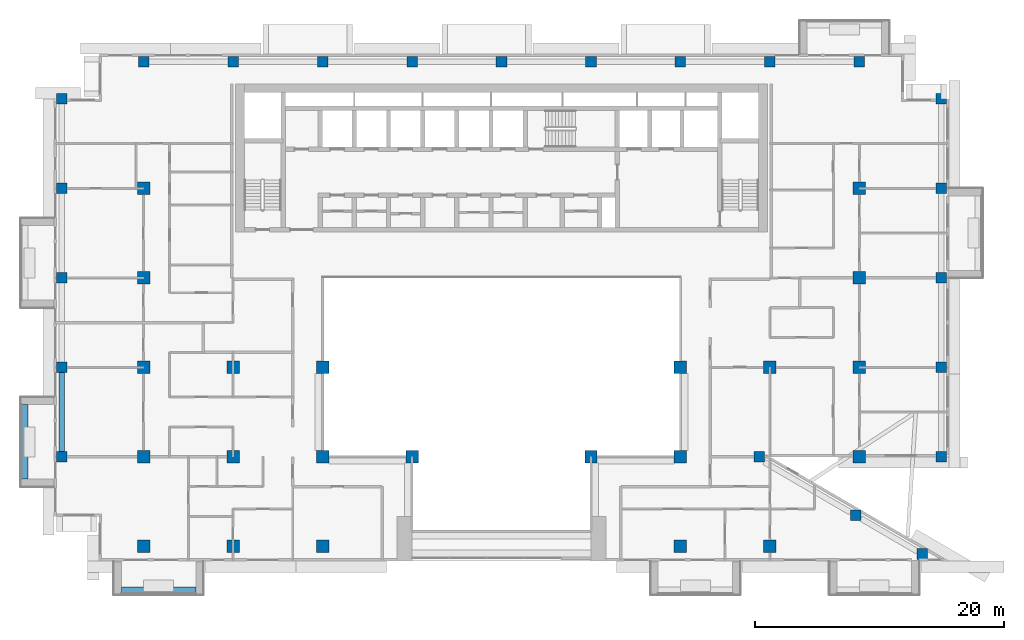
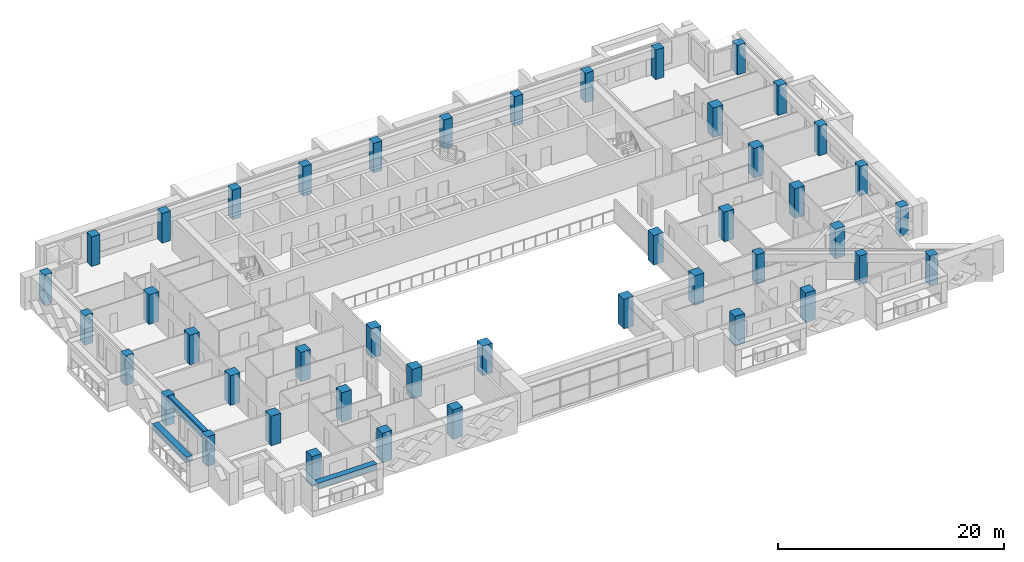
# One storey, part 1 of 20: 44 columns, 3 beams.
"""IFC4 building model written with IfcOpenShell, lengths in metres."""

from ifc_helpers import new_model, si_unit, direction, frame, origin, origin_2d, place, context, subcontext, project, spatial, rectangle, extrude, source, transform, mapped, material, material_profile, profile_set, type_object, element, save


model = new_model("IFC4")

# Units and contexts
model_context = context("Model", 3, precision=1e-05, world=origin(), true_north=direction((0.0, 1.0)))
body_context = subcontext(model_context, "Body", "Model", "MODEL_VIEW")
ifc_project = project(units=[si_unit("LENGTHUNIT", "METRE"), si_unit("AREAUNIT", "SQUARE_METRE"), si_unit("VOLUMEUNIT", "CUBIC_METRE"), si_unit("PLANEANGLEUNIT", "RADIAN"), si_unit("MASSUNIT", "GRAM", prefix="KILO")], contexts=[model_context])

# Site, building, storey
site_placement = place(None, origin())
site = spatial("IfcSite", under=ifc_project, at=site_placement, CompositionType="ELEMENT")
building_placement = place(site_placement, origin())
building = spatial("IfcBuilding", under=site, at=building_placement, Name="Saffron Iwan Residences", CompositionType="ELEMENT")
storey_placement = place(building_placement, frame((0.0, 0.0, 157.0)))
storey = spatial("IfcBuildingStorey", under=building, at=storey_placement, Name="L41", CompositionType="ELEMENT", Elevation=157.0)

# Columns
ifc_material_1 = material(Name="Concrete C50/60", Category="concrete")
ifc_material_profile_1 = material_profile(ifc_material_1, rectangle(XDim=0.85009765625, YDim=0.85009765625, at=origin_2d()), Name="RC 850x850")
ifc_profile_set_1 = profile_set([ifc_material_profile_1], Name="Concrete C50/60")
column_type_1 = type_object("IfcColumnType", Name="COL RC 850x850 C50/60 3200 HIGH", PredefinedType="COLUMN", material=ifc_profile_set_1)
shared_shape_1 = source(origin(), body_context, "Body", "SweptSolid", [
    extrude(rectangle(XDim=0.85009765625, YDim=0.85009765625, at=origin_2d()), origin(), (0.0, 0.0, 1.0), 3.199951171875),
])
for number, where, z_axis, x_axis, name in (
    (1, (84.276123046875, 40.17431640625, 0.0), (0.0, 0.0, 1.0), (1.0, 0.0, 0.0), "Column C045"),
    (2, (78.897705078125, 43.28173828125, 0.0), (0.0, 0.0, 1.0), (1.0, 0.0, 0.0), "Column C058"),
    (3, (15.0, 48.0, 0.0), (0.0, 0.0, 1.0), (1.0, 0.0, 0.0), "Column C061"),
    (4, (71.14990234375, 48.0, 0.0), (0.0, 0.0, 1.0), (1.0, 0.0, 0.0), "Column C070"),
    (5, (85.800048828125, 48.0, 0.0), (0.0, 0.0, 1.0), (1.0, 0.0, 0.0), "Column C074"),
    (6, (15.0, 55.199951171875, 0.0), (0.0, 0.0, 1.0), (1.0, 0.0, 0.0), "Column C077"),
    (7, (85.800048828125, 55.199951171875, 0.0), (0.0, 0.0, 1.0), (1.0, 0.0, 0.0), "Column C086"),
    (8, (15.0, 62.39990234375, 0.0), (0.0, 0.0, 1.0), (1.0, 0.0, 0.0), "Column C089"),
    (9, (85.800048828125, 62.39990234375, 0.0), (0.0, 0.0, 1.0), (1.0, 0.0, 0.0), "Column C094"),
    (10, (15.0, 69.60009765625, 0.0), (0.0, 0.0, 1.0), (1.0, 0.0, 0.0), "Column C097"),
    (11, (85.800048828125, 69.60009765625, 0.0), (0.0, 0.0, 1.0), (1.0, 0.0, 0.0), "Column C102"),
    (12, (15.0, 76.800048828125, 0.0), (0.0, 0.0, 1.0), (1.0, 0.0, 0.0), "Column C105"),
    (13, (85.800048828125, 76.800048828125, 0.0), (0.0, 0.0, 1.0), (1.0, 0.0, 0.0), "Column C110"),
    (14, (21.60009765625, 79.800048828125, 0.0), (0.0, 0.0, 1.0), (1.0, 0.0, 0.0), "Column C113"),
    (15, (28.800048828125, 79.800048828125, 0.0), (0.0, 0.0, 1.0), (1.0, 0.0, 0.0), "Column C115"),
    (16, (36.0, 79.800048828125, 0.0), (0.0, 0.0, 1.0), (1.0, 0.0, 0.0), "Column C116"),
    (17, (43.199951171875, 79.800048828125, 0.0), (0.0, 0.0, 1.0), (1.0, 0.0, 0.0), "Column C117"),
    (18, (50.39990234375, 79.800048828125, 0.0), (0.0, 0.0, 1.0), (1.0, 0.0, 0.0), "Column C118"),
    (19, (57.60009765625, 79.800048828125, 0.0), (0.0, 0.0, 1.0), (1.0, 0.0, 0.0), "Column C119"),
    (20, (64.800048828125, 79.800048828125, 0.0), (0.0, 0.0, 1.0), (1.0, 0.0, 0.0), "Column C120"),
    (21, (72.0, 79.800048828125, 0.0), (0.0, 0.0, 1.0), (1.0, 0.0, 0.0), "Column C121"),
    (22, (79.199951171875, 79.800048828125, 0.0), (0.0, 0.0, 1.0), (1.0, 0.0, 0.0), "Column C123"),
):
    element("IfcColumn", number, at=place(storey_placement, frame(where, z_axis=z_axis, x_axis=x_axis)), inside=storey, type_object=column_type_1, Name=name, PredefinedType="COLUMN", context=body_context, shape_type="MappedRepresentation", body=[
        mapped(shared_shape_1, transform((0.0, 0.0, 0.0))),
    ])
ifc_material_profile_2 = material_profile(ifc_material_1, rectangle(XDim=1.0, YDim=1.0, at=origin_2d()), Name="RC 1000x1000")
ifc_profile_set_2 = profile_set([ifc_material_profile_2], Name="Concrete C50/60")
column_type_2 = type_object("IfcColumnType", Name="COL RC 1000x1000 C50/60 3200 HIGH", PredefinedType="COLUMN", material=ifc_profile_set_2)
shared_shape_2 = source(origin(), body_context, "Body", "SweptSolid", [
    extrude(rectangle(XDim=1.0, YDim=1.0, at=origin_2d()), origin(), (0.0, 0.0, 1.0), 3.199951171875),
])
for number, where, z_axis, x_axis, name in (
    (23, (21.60009765625, 40.800048828125, 0.0), (0.0, 0.0, 1.0), (1.0, 0.0, 0.0), "Column C049"),
    (24, (28.800048828125, 40.800048828125, 0.0), (0.0, 0.0, 1.0), (1.0, 0.0, 0.0), "Column C051"),
    (25, (36.0, 40.800048828125, 0.0), (0.0, 0.0, 1.0), (1.0, 0.0, 0.0), "Column C052"),
    (26, (64.800048828125, 40.800048828125, 0.0), (0.0, 0.0, 1.0), (1.0, 0.0, 0.0), "Column C055"),
    (27, (72.0, 40.800048828125, 0.0), (0.0, 0.0, 1.0), (1.0, 0.0, 0.0), "Column C056"),
    (28, (21.60009765625, 48.0, 0.0), (0.0, 0.0, 1.0), (1.0, 0.0, 0.0), "Column C063"),
    (29, (28.800048828125, 48.0, 0.0), (0.0, 0.0, 1.0), (1.0, 0.0, 0.0), "Column C064"),
    (30, (36.0, 48.0, 0.0), (0.0, 0.0, 1.0), (1.0, 0.0, 0.0), "Column C065"),
    (31, (43.199951171875, 48.0, 0.0), (0.0, 0.0, 1.0), (1.0, 0.0, 0.0), "Column C066"),
    (32, (57.60009765625, 48.0, 0.0), (0.0, 0.0, 1.0), (1.0, 0.0, 0.0), "Column C068"),
    (33, (64.800048828125, 48.0, 0.0), (0.0, 0.0, 1.0), (1.0, 0.0, 0.0), "Column C069"),
    (34, (79.199951171875, 48.0, 0.0), (0.0, 0.0, 1.0), (1.0, 0.0, 0.0), "Column C072"),
    (35, (21.60009765625, 55.199951171875, 0.0), (0.0, 0.0, 1.0), (1.0, 0.0, 0.0), "Column C079"),
    (36, (28.800048828125, 55.199951171875, 0.0), (0.0, 0.0, 1.0), (1.0, 0.0, 0.0), "Column C080"),
    (37, (36.0, 55.199951171875, 0.0), (0.0, 0.0, 1.0), (1.0, 0.0, 0.0), "Column C081"),
    (38, (64.800048828125, 55.199951171875, 0.0), (0.0, 0.0, 1.0), (1.0, 0.0, 0.0), "Column C082"),
    (39, (72.0, 55.199951171875, 0.0), (0.0, 0.0, 1.0), (1.0, 0.0, 0.0), "Column C083"),
    (40, (79.199951171875, 55.199951171875, 0.0), (0.0, 0.0, 1.0), (1.0, 0.0, 0.0), "Column C084"),
    (41, (21.60009765625, 62.39990234375, 0.0), (0.0, 0.0, 1.0), (1.0, 0.0, 0.0), "Column C091"),
    (42, (79.199951171875, 62.39990234375, 0.0), (0.0, 0.0, 1.0), (1.0, 0.0, 0.0), "Column C092"),
    (43, (21.60009765625, 69.60009765625, 0.0), (0.0, 0.0, 1.0), (1.0, 0.0, 0.0), "Column C099"),
    (44, (79.199951171875, 69.60009765625, 0.0), (0.0, 0.0, 1.0), (1.0, 0.0, 0.0), "Column C100"),
):
    element("IfcColumn", number, at=place(storey_placement, frame(where, z_axis=z_axis, x_axis=x_axis)), inside=storey, type_object=column_type_2, Name=name, PredefinedType="COLUMN", context=body_context, shape_type="MappedRepresentation", body=[
        mapped(shared_shape_2, transform((0.0, 0.0, 0.0))),
    ])

# Beams
ifc_material_profile_3 = material_profile(ifc_material_1, rectangle(XDim=0.449951171875, YDim=0.89990234375, at=origin_2d()), Name="RC 450x900")
ifc_profile_set_3 = profile_set([ifc_material_profile_3], Name="Concrete C50/60")
beam_type_1 = type_object("IfcBeamType", Name="SPANDREL BEAM RC 450x900 C50/60 TOP 3200", PredefinedType="SPANDREL", material=ifc_profile_set_3)
shared_shape_3 = source(origin(), body_context, "Body", "SweptSolid", [
    extrude(rectangle(XDim=0.449951171875, YDim=0.89990234375, at=origin_2d()), origin(), (0.0, 0.0, 1.0), 6.349853515625),
])
beam_placement = place(storey_placement, frame((15.0, 48.425048828125, 2.75), z_axis=(0.0, 1.0, 0.0), x_axis=(-1.0, 0.0, 0.0)))
element("IfcBeam", 45, at=beam_placement, inside=storey, type_object=beam_type_1, Name="Spandrel beam", PredefinedType="SPANDREL", context=body_context, shape_type="MappedRepresentation", body=[
    mapped(shared_shape_3, transform((0.0, 0.0, 0.0))),
])
ifc_material_2 = material(Name="Concrete C50/60 white painted", Category="concrete")
ifc_material_profile_4 = material_profile(ifc_material_2, rectangle(XDim=0.60009765625, YDim=0.60009765625, at=origin_2d()), Name="BALCONY FASCIA BEAM 600 x 600")
ifc_profile_set_4 = profile_set([ifc_material_profile_4], Name="Concrete C50/60 white painted")
beam_type_2 = type_object("IfcBeamType", Name="BALCONY FASCIA BEAM 600 x 600", PredefinedType="BEAM", material=ifc_profile_set_4)
shared_shape_4 = source(origin(), body_context, "Body", "SweptSolid", [
    extrude(rectangle(XDim=0.60009765625, YDim=0.60009765625, at=origin_2d()), origin(), (0.0, 0.0, 1.0), 6.0),
])
for number, where, z_axis, x_axis, name in (
    (46, (12.0, 52.199951171875, 2.550048828125), (0.0, -1.0, 0.0), (1.0, 0.0, 0.0), "Balcony fascia beam L41 F8-1"),
    (47, (19.800048828125, 37.199951171875, 2.550048828125), (1.0, 0.0, 0.0), (0.0, 1.0, 0.0), "Balcony fascia beam L41 11-0"),
):
    element("IfcBeam", number, at=place(storey_placement, frame(where, z_axis=z_axis, x_axis=x_axis)), inside=storey, type_object=beam_type_2, Name=name, PredefinedType="BEAM", context=body_context, shape_type="MappedRepresentation", body=[
        mapped(shared_shape_4, transform((0.0, 0.0, 0.0))),
    ])

save(model, "model.ifc")
